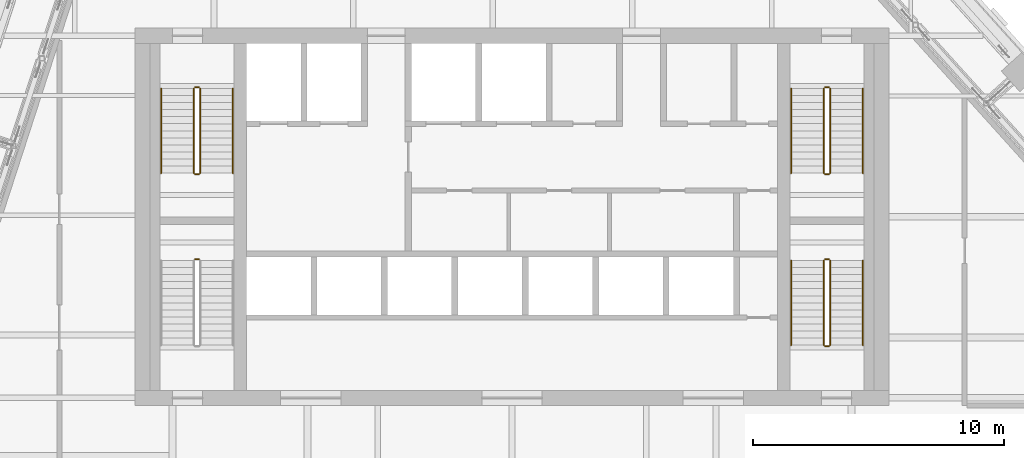
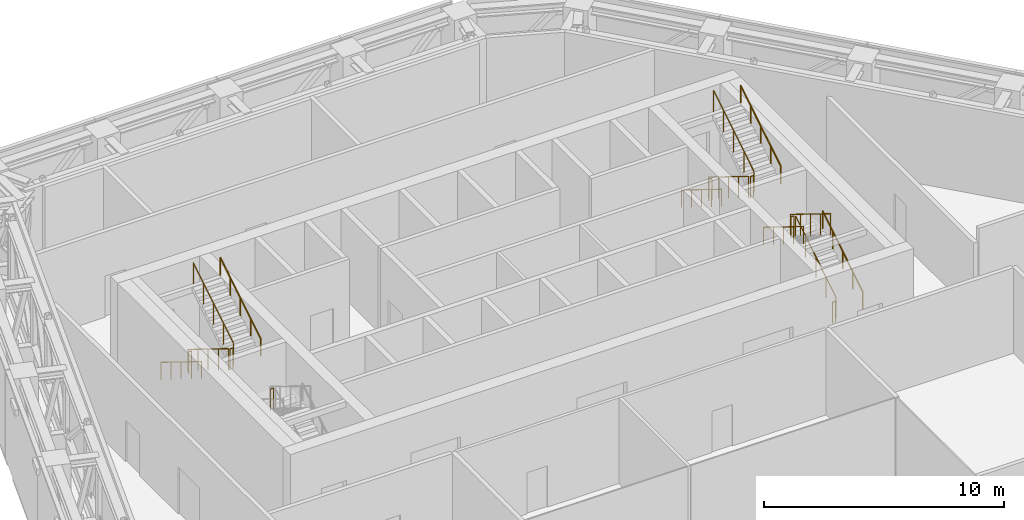
# One storey, part 25 of 25: 19 railings.
"""IFC4 building model written with IfcOpenShell, lengths in metres."""

from ifc_helpers import new_model, si_unit, direction, frame, origin, origin_2d, place, context, subcontext, project, spatial, circle, extrude, material, type_object, element, save


model = new_model("IFC4")

# Units and contexts
model_context = context("Model", 3, precision=1e-05, world=origin(), true_north=direction((0.0, 1.0)))
body_context = subcontext(model_context, "Body", "Model", "MODEL_VIEW")
ifc_project = project(units=[si_unit("LENGTHUNIT", "METRE"), si_unit("AREAUNIT", "SQUARE_METRE"), si_unit("VOLUMEUNIT", "CUBIC_METRE"), si_unit("PLANEANGLEUNIT", "RADIAN"), si_unit("MASSUNIT", "GRAM", prefix="KILO")], contexts=[model_context])

# Site, building, storey
site_placement = place(None, origin())
site = spatial("IfcSite", under=ifc_project, at=site_placement, CompositionType="ELEMENT")
building_placement = place(site_placement, origin())
building = spatial("IfcBuilding", under=site, at=building_placement, Name="Isthmus Gate Tower", CompositionType="ELEMENT")
storey_placement = place(building_placement, frame((0.0, 0.0, 256.449951171875)))
storey = spatial("IfcBuildingStorey", under=building, at=storey_placement, Name="L65", CompositionType="ELEMENT", Elevation=256.449951171875)

# Railings
ifc_material_1 = material(Name="Stainless steel balustrade", Category="steel")
railing_type_1 = type_object("IfcRailingType", Name="STAIR GUARD 1100", PredefinedType="GUARDRAIL", material=ifc_material_1)
railing_1_placement = place(storey_placement, frame((-12.64990234375, 12.60009765625, 0.173095703125)))
element("IfcRailing", 1, at=railing_1_placement, inside=storey, type_object=railing_type_1, Name="L65 ST1 stair guard 1", PredefinedType="GUARDRAIL", context=body_context, shape_type="SweptSolid", body=[
    extrude(circle(Radius=0.02392578125, at=origin_2d()), frame((0.0, 0.0, 1.076171875), z_axis=(0.0, -0.850623216509, 0.525775754039), x_axis=(1.0, 0.0, 0.0)), (0.0, 0.0, 1.0), 3.9501953125),
    extrude(circle(Radius=0.02099609375, at=origin_2d()), origin(), (0.0, 0.0, 1.0), 1.052001953125),
    extrude(circle(Radius=0.02099609375, at=origin_2d()), frame((0.0, -0.840087890625, 0.519287109375)), (0.0, 0.0, 1.0), 1.052001953125),
    extrude(circle(Radius=0.02099609375, at=origin_2d()), frame((0.0, -1.68017578125, 1.03857421875)), (0.0, 0.0, 1.0), 1.052001953125),
    extrude(circle(Radius=0.02099609375, at=origin_2d()), frame((0.0, -2.52001953125, 1.5576171875)), (0.0, 0.0, 1.0), 1.052001953125),
    extrude(circle(Radius=0.02099609375, at=origin_2d()), frame((0.0, -3.360107421875, 2.076904296875)), (0.0, 0.0, 1.0), 1.052001953125),
])
railing_2_placement = place(storey_placement, frame((-12.60009765625, 9.18994140625, 2.25)))
element("IfcRailing", 2, at=railing_2_placement, inside=storey, type_object=railing_type_1, Name="L65 ST1 stair guard 2", PredefinedType="GUARDRAIL", context=body_context, shape_type="SweptSolid", body=[
    extrude(circle(Radius=0.02392578125, at=origin_2d()), frame((0.0, 0.0, 1.076171875), z_axis=(1.0, 0.0, 0.0), x_axis=(0.0, 1.0, 0.0)), (0.0, 0.0, 1.0), 0.150146484375),
    extrude(circle(Radius=0.02099609375, at=origin_2d()), origin(), (0.0, 0.0, 1.0), 1.052001953125),
    extrude(circle(Radius=0.02099609375, at=origin_2d()), frame((0.150146484375, 0.0, 0.0)), (0.0, 0.0, 1.0), 1.052001953125),
])
railing_3_placement = place(storey_placement, frame((-12.39990234375, 9.239990234375, 2.423095703125)))
element("IfcRailing", 3, at=railing_3_placement, inside=storey, type_object=railing_type_1, Name="L65 ST1 stair guard 3", PredefinedType="GUARDRAIL", context=body_context, shape_type="SweptSolid", body=[
    extrude(circle(Radius=0.02392578125, at=origin_2d()), frame((0.0, 0.0, 1.076171875), z_axis=(0.0, 0.850623216509, 0.525775754039), x_axis=(-1.0, 0.0, 0.0)), (0.0, 0.0, 1.0), 3.9501953125),
    extrude(circle(Radius=0.02099609375, at=origin_2d()), origin(), (0.0, 0.0, 1.0), 1.052001953125),
    extrude(circle(Radius=0.02099609375, at=origin_2d()), frame((0.0, 0.840087890625, 0.519287109375)), (0.0, 0.0, 1.0), 1.052001953125),
    extrude(circle(Radius=0.02099609375, at=origin_2d()), frame((0.0, 1.68017578125, 1.03857421875)), (0.0, 0.0, 1.0), 1.052001953125),
    extrude(circle(Radius=0.02099609375, at=origin_2d()), frame((0.0, 2.52001953125, 1.5576171875)), (0.0, 0.0, 1.0), 1.052001953125),
    extrude(circle(Radius=0.02099609375, at=origin_2d()), frame((0.0, 3.360107421875, 2.076904296875)), (0.0, 0.0, 1.0), 1.052001953125),
])
railing_4_placement = place(storey_placement, frame((-12.60009765625, 12.64990234375, 0.0)))
element("IfcRailing", 4, at=railing_4_placement, inside=storey, type_object=railing_type_1, Name="L65 ST1 stair guard 4", PredefinedType="GUARDRAIL", context=body_context, shape_type="SweptSolid", body=[
    extrude(circle(Radius=0.02392578125, at=origin_2d()), frame((0.0, 0.0, 1.076171875), z_axis=(1.0, 0.0, 0.0), x_axis=(0.0, 1.0, 0.0)), (0.0, 0.0, 1.0), 0.150146484375),
    extrude(circle(Radius=0.02099609375, at=origin_2d()), origin(), (0.0, 0.0, 1.0), 1.052001953125),
    extrude(circle(Radius=0.02099609375, at=origin_2d()), frame((0.150146484375, 0.0, 0.0)), (0.0, 0.0, 1.0), 1.052001953125),
])
railing_5_placement = place(storey_placement, frame((12.39990234375, 12.60009765625, 0.173095703125)))
element("IfcRailing", 5, at=railing_5_placement, inside=storey, type_object=railing_type_1, Name="L65 ST2 stair guard 1", PredefinedType="GUARDRAIL", context=body_context, shape_type="SweptSolid", body=[
    extrude(circle(Radius=0.02392578125, at=origin_2d()), frame((0.0, 0.0, 1.076171875), z_axis=(0.0, -0.850623216509, 0.525775754039), x_axis=(1.0, 0.0, 0.0)), (0.0, 0.0, 1.0), 3.9501953125),
    extrude(circle(Radius=0.02099609375, at=origin_2d()), origin(), (0.0, 0.0, 1.0), 1.052001953125),
    extrude(circle(Radius=0.02099609375, at=origin_2d()), frame((0.0, -0.840087890625, 0.519287109375)), (0.0, 0.0, 1.0), 1.052001953125),
    extrude(circle(Radius=0.02099609375, at=origin_2d()), frame((0.0, -1.68017578125, 1.03857421875)), (0.0, 0.0, 1.0), 1.052001953125),
    extrude(circle(Radius=0.02099609375, at=origin_2d()), frame((0.0, -2.52001953125, 1.5576171875)), (0.0, 0.0, 1.0), 1.052001953125),
    extrude(circle(Radius=0.02099609375, at=origin_2d()), frame((0.0, -3.360107421875, 2.076904296875)), (0.0, 0.0, 1.0), 1.052001953125),
])
railing_6_placement = place(storey_placement, frame((12.449951171875, 9.18994140625, 2.25)))
element("IfcRailing", 6, at=railing_6_placement, inside=storey, type_object=railing_type_1, Name="L65 ST2 stair guard 2", PredefinedType="GUARDRAIL", context=body_context, shape_type="SweptSolid", body=[
    extrude(circle(Radius=0.02392578125, at=origin_2d()), frame((0.0, 0.0, 1.076171875), z_axis=(1.0, 0.0, 0.0), x_axis=(0.0, 1.0, 0.0)), (0.0, 0.0, 1.0), 0.150146484375),
    extrude(circle(Radius=0.02099609375, at=origin_2d()), origin(), (0.0, 0.0, 1.0), 1.052001953125),
    extrude(circle(Radius=0.02099609375, at=origin_2d()), frame((0.150146484375, 0.0, 0.0)), (0.0, 0.0, 1.0), 1.052001953125),
])
railing_7_placement = place(storey_placement, frame((12.64990234375, 9.239990234375, 2.423095703125)))
element("IfcRailing", 7, at=railing_7_placement, inside=storey, type_object=railing_type_1, Name="L65 ST2 stair guard 3", PredefinedType="GUARDRAIL", context=body_context, shape_type="SweptSolid", body=[
    extrude(circle(Radius=0.02392578125, at=origin_2d()), frame((0.0, 0.0, 1.076171875), z_axis=(0.0, 0.850623216509, 0.525775754039), x_axis=(-1.0, 0.0, 0.0)), (0.0, 0.0, 1.0), 3.9501953125),
    extrude(circle(Radius=0.02099609375, at=origin_2d()), origin(), (0.0, 0.0, 1.0), 1.052001953125),
    extrude(circle(Radius=0.02099609375, at=origin_2d()), frame((0.0, 0.840087890625, 0.519287109375)), (0.0, 0.0, 1.0), 1.052001953125),
    extrude(circle(Radius=0.02099609375, at=origin_2d()), frame((0.0, 1.68017578125, 1.03857421875)), (0.0, 0.0, 1.0), 1.052001953125),
    extrude(circle(Radius=0.02099609375, at=origin_2d()), frame((0.0, 2.52001953125, 1.5576171875)), (0.0, 0.0, 1.0), 1.052001953125),
    extrude(circle(Radius=0.02099609375, at=origin_2d()), frame((0.0, 3.360107421875, 2.076904296875)), (0.0, 0.0, 1.0), 1.052001953125),
])
railing_8_placement = place(storey_placement, frame((12.449951171875, 12.64990234375, 0.0)))
element("IfcRailing", 8, at=railing_8_placement, inside=storey, type_object=railing_type_1, Name="L65 ST2 stair guard 4", PredefinedType="GUARDRAIL", context=body_context, shape_type="SweptSolid", body=[
    extrude(circle(Radius=0.02392578125, at=origin_2d()), frame((0.0, 0.0, 1.076171875), z_axis=(1.0, 0.0, 0.0), x_axis=(0.0, 1.0, 0.0)), (0.0, 0.0, 1.0), 0.150146484375),
    extrude(circle(Radius=0.02099609375, at=origin_2d()), origin(), (0.0, 0.0, 1.0), 1.052001953125),
    extrude(circle(Radius=0.02099609375, at=origin_2d()), frame((0.150146484375, 0.0, 0.0)), (0.0, 0.0, 1.0), 1.052001953125),
])
railing_9_placement = place(storey_placement, frame((-12.449951171875, 5.81005859375, 2.25)))
element("IfcRailing", 9, at=railing_9_placement, inside=storey, type_object=railing_type_1, Name="L65 ST7 stair guard 2", PredefinedType="GUARDRAIL", context=body_context, shape_type="SweptSolid", body=[
    extrude(circle(Radius=0.02392578125, at=origin_2d()), frame((0.0, 0.0, 1.076171875), z_axis=(-1.0, 0.0, 0.0), x_axis=(0.0, -1.0, 0.0)), (0.0, 0.0, 1.0), 0.150146484375),
    extrude(circle(Radius=0.02099609375, at=origin_2d()), origin(), (0.0, 0.0, 1.0), 1.052001953125),
    extrude(circle(Radius=0.02099609375, at=origin_2d()), frame((-0.150146484375, 0.0, 0.0)), (0.0, 0.0, 1.0), 1.052001953125),
])
railing_10_placement = place(storey_placement, frame((12.64990234375, 2.39990234375, 0.173095703125)))
element("IfcRailing", 10, at=railing_10_placement, inside=storey, type_object=railing_type_1, Name="L65 ST8 stair guard 1", PredefinedType="GUARDRAIL", context=body_context, shape_type="SweptSolid", body=[
    extrude(circle(Radius=0.02392578125, at=origin_2d()), frame((0.0, 0.0, 1.076171875), z_axis=(0.0, 0.850623216509, 0.525775754039), x_axis=(-1.0, 0.0, 0.0)), (0.0, 0.0, 1.0), 3.9501953125),
    extrude(circle(Radius=0.02099609375, at=origin_2d()), origin(), (0.0, 0.0, 1.0), 1.052001953125),
    extrude(circle(Radius=0.02099609375, at=origin_2d()), frame((0.0, 0.840087890625, 0.519287109375)), (0.0, 0.0, 1.0), 1.052001953125),
    extrude(circle(Radius=0.02099609375, at=origin_2d()), frame((0.0, 1.68017578125, 1.03857421875)), (0.0, 0.0, 1.0), 1.052001953125),
    extrude(circle(Radius=0.02099609375, at=origin_2d()), frame((0.0, 2.52001953125, 1.5576171875)), (0.0, 0.0, 1.0), 1.052001953125),
    extrude(circle(Radius=0.02099609375, at=origin_2d()), frame((0.0, 3.360107421875, 2.076904296875)), (0.0, 0.0, 1.0), 1.052001953125),
])
railing_11_placement = place(storey_placement, frame((12.60009765625, 5.81005859375, 2.25)))
element("IfcRailing", 11, at=railing_11_placement, inside=storey, type_object=railing_type_1, Name="L65 ST8 stair guard 2", PredefinedType="GUARDRAIL", context=body_context, shape_type="SweptSolid", body=[
    extrude(circle(Radius=0.02392578125, at=origin_2d()), frame((0.0, 0.0, 1.076171875), z_axis=(-1.0, 0.0, 0.0), x_axis=(0.0, -1.0, 0.0)), (0.0, 0.0, 1.0), 0.150146484375),
    extrude(circle(Radius=0.02099609375, at=origin_2d()), origin(), (0.0, 0.0, 1.0), 1.052001953125),
    extrude(circle(Radius=0.02099609375, at=origin_2d()), frame((-0.150146484375, 0.0, 0.0)), (0.0, 0.0, 1.0), 1.052001953125),
])
railing_12_placement = place(storey_placement, frame((12.39990234375, 5.760009765625, 2.423095703125)))
element("IfcRailing", 12, at=railing_12_placement, inside=storey, type_object=railing_type_1, Name="L65 ST8 stair guard 3", PredefinedType="GUARDRAIL", context=body_context, shape_type="SweptSolid", body=[
    extrude(circle(Radius=0.02392578125, at=origin_2d()), frame((0.0, 0.0, 1.076171875), z_axis=(0.0, -0.850623216509, 0.525775754039), x_axis=(1.0, 0.0, 0.0)), (0.0, 0.0, 1.0), 3.9501953125),
    extrude(circle(Radius=0.02099609375, at=origin_2d()), origin(), (0.0, 0.0, 1.0), 1.052001953125),
    extrude(circle(Radius=0.02099609375, at=origin_2d()), frame((0.0, -0.840087890625, 0.519287109375)), (0.0, 0.0, 1.0), 1.052001953125),
    extrude(circle(Radius=0.02099609375, at=origin_2d()), frame((0.0, -1.68017578125, 1.03857421875)), (0.0, 0.0, 1.0), 1.052001953125),
    extrude(circle(Radius=0.02099609375, at=origin_2d()), frame((0.0, -2.52001953125, 1.5576171875)), (0.0, 0.0, 1.0), 1.052001953125),
    extrude(circle(Radius=0.02099609375, at=origin_2d()), frame((0.0, -3.360107421875, 2.076904296875)), (0.0, 0.0, 1.0), 1.052001953125),
])
railing_13_placement = place(storey_placement, frame((12.60009765625, 2.35009765625, 0.0)))
element("IfcRailing", 13, at=railing_13_placement, inside=storey, type_object=railing_type_1, Name="L65 ST8 stair guard 4", PredefinedType="GUARDRAIL", context=body_context, shape_type="SweptSolid", body=[
    extrude(circle(Radius=0.02392578125, at=origin_2d()), frame((0.0, 0.0, 1.076171875), z_axis=(-1.0, 0.0, 0.0), x_axis=(0.0, -1.0, 0.0)), (0.0, 0.0, 1.0), 0.150146484375),
    extrude(circle(Radius=0.02099609375, at=origin_2d()), origin(), (0.0, 0.0, 1.0), 1.052001953125),
    extrude(circle(Radius=0.02099609375, at=origin_2d()), frame((-0.150146484375, 0.0, 0.0)), (0.0, 0.0, 1.0), 1.052001953125),
])
ifc_material_2 = material(Name="Stainless steel handrail", Category="steel")
railing_type_2 = type_object("IfcRailingType", Name="STAIR HANDRAIL 900", PredefinedType="HANDRAIL", material=ifc_material_2)
railing_14_placement = place(storey_placement, frame((-13.949951171875, 12.60009765625, 0.173095703125)))
element("IfcRailing", 14, at=railing_14_placement, inside=storey, type_object=railing_type_2, Name="L65 ST1 stair handrail 1", PredefinedType="HANDRAIL", context=body_context, shape_type="SweptSolid", body=[
    extrude(circle(Radius=0.02392578125, at=origin_2d()), frame((0.0, 0.0, 0.8759765625), z_axis=(0.0, -0.850623216509, 0.525775754039), x_axis=(1.0, 0.0, 0.0)), (0.0, 0.0, 1.0), 3.9501953125),
    extrude(circle(Radius=0.02099609375, at=origin_2d()), origin(), (0.0, 0.0, 1.0), 0.851806640625),
    extrude(circle(Radius=0.02099609375, at=origin_2d()), frame((0.0, -0.840087890625, 0.519287109375)), (0.0, 0.0, 1.0), 0.851806640625),
    extrude(circle(Radius=0.02099609375, at=origin_2d()), frame((0.0, -1.68017578125, 1.03857421875)), (0.0, 0.0, 1.0), 0.851806640625),
    extrude(circle(Radius=0.02099609375, at=origin_2d()), frame((0.0, -2.52001953125, 1.5576171875)), (0.0, 0.0, 1.0), 0.851806640625),
    extrude(circle(Radius=0.02099609375, at=origin_2d()), frame((0.0, -3.360107421875, 2.076904296875)), (0.0, 0.0, 1.0), 0.851806640625),
])
railing_15_placement = place(storey_placement, frame((-11.10009765625, 9.239990234375, 2.423095703125)))
element("IfcRailing", 15, at=railing_15_placement, inside=storey, type_object=railing_type_2, Name="L65 ST1 stair handrail 2", PredefinedType="HANDRAIL", context=body_context, shape_type="SweptSolid", body=[
    extrude(circle(Radius=0.02392578125, at=origin_2d()), frame((0.0, 0.0, 0.8759765625), z_axis=(0.0, 0.850623216509, 0.525775754039), x_axis=(-1.0, 0.0, 0.0)), (0.0, 0.0, 1.0), 3.9501953125),
    extrude(circle(Radius=0.02099609375, at=origin_2d()), origin(), (0.0, 0.0, 1.0), 0.851806640625),
    extrude(circle(Radius=0.02099609375, at=origin_2d()), frame((0.0, 0.840087890625, 0.519287109375)), (0.0, 0.0, 1.0), 0.851806640625),
    extrude(circle(Radius=0.02099609375, at=origin_2d()), frame((0.0, 1.68017578125, 1.03857421875)), (0.0, 0.0, 1.0), 0.851806640625),
    extrude(circle(Radius=0.02099609375, at=origin_2d()), frame((0.0, 2.52001953125, 1.5576171875)), (0.0, 0.0, 1.0), 0.851806640625),
    extrude(circle(Radius=0.02099609375, at=origin_2d()), frame((0.0, 3.360107421875, 2.076904296875)), (0.0, 0.0, 1.0), 0.851806640625),
])
railing_16_placement = place(storey_placement, frame((11.10009765625, 12.60009765625, 0.173095703125)))
element("IfcRailing", 16, at=railing_16_placement, inside=storey, type_object=railing_type_2, Name="L65 ST2 stair handrail 1", PredefinedType="HANDRAIL", context=body_context, shape_type="SweptSolid", body=[
    extrude(circle(Radius=0.02392578125, at=origin_2d()), frame((0.0, 0.0, 0.8759765625), z_axis=(0.0, -0.850623216509, 0.525775754039), x_axis=(1.0, 0.0, 0.0)), (0.0, 0.0, 1.0), 3.9501953125),
    extrude(circle(Radius=0.02099609375, at=origin_2d()), origin(), (0.0, 0.0, 1.0), 0.851806640625),
    extrude(circle(Radius=0.02099609375, at=origin_2d()), frame((0.0, -0.840087890625, 0.519287109375)), (0.0, 0.0, 1.0), 0.851806640625),
    extrude(circle(Radius=0.02099609375, at=origin_2d()), frame((0.0, -1.68017578125, 1.03857421875)), (0.0, 0.0, 1.0), 0.851806640625),
    extrude(circle(Radius=0.02099609375, at=origin_2d()), frame((0.0, -2.52001953125, 1.5576171875)), (0.0, 0.0, 1.0), 0.851806640625),
    extrude(circle(Radius=0.02099609375, at=origin_2d()), frame((0.0, -3.360107421875, 2.076904296875)), (0.0, 0.0, 1.0), 0.851806640625),
])
for number, where, name in (
    (17, (13.949951171875, 9.239990234375, 2.423095703125), "L65 ST2 stair handrail 2"),
    (18, (13.949951171875, 2.39990234375, 0.173095703125), "L65 ST8 stair handrail 1"),
):
    element("IfcRailing", number, at=place(storey_placement, frame(where)), inside=storey, type_object=railing_type_2, Name=name, PredefinedType="HANDRAIL", context=body_context, shape_type="SweptSolid", body=[
        extrude(circle(Radius=0.02392578125, at=origin_2d()), frame((0.0, 0.0, 0.8759765625), z_axis=(0.0, 0.850623216509, 0.525775754039), x_axis=(-1.0, 0.0, 0.0)), (0.0, 0.0, 1.0), 3.9501953125),
        extrude(circle(Radius=0.02099609375, at=origin_2d()), origin(), (0.0, 0.0, 1.0), 0.851806640625),
        extrude(circle(Radius=0.02099609375, at=origin_2d()), frame((0.0, 0.840087890625, 0.519287109375)), (0.0, 0.0, 1.0), 0.851806640625),
        extrude(circle(Radius=0.02099609375, at=origin_2d()), frame((0.0, 1.68017578125, 1.03857421875)), (0.0, 0.0, 1.0), 0.851806640625),
        extrude(circle(Radius=0.02099609375, at=origin_2d()), frame((0.0, 2.52001953125, 1.5576171875)), (0.0, 0.0, 1.0), 0.851806640625),
        extrude(circle(Radius=0.02099609375, at=origin_2d()), frame((0.0, 3.360107421875, 2.076904296875)), (0.0, 0.0, 1.0), 0.851806640625),
    ])
railing_17_placement = place(storey_placement, frame((11.10009765625, 5.760009765625, 2.423095703125)))
element("IfcRailing", 19, at=railing_17_placement, inside=storey, type_object=railing_type_2, Name="L65 ST8 stair handrail 2", PredefinedType="HANDRAIL", context=body_context, shape_type="SweptSolid", body=[
    extrude(circle(Radius=0.02392578125, at=origin_2d()), frame((0.0, 0.0, 0.8759765625), z_axis=(0.0, -0.850623216509, 0.525775754039), x_axis=(1.0, 0.0, 0.0)), (0.0, 0.0, 1.0), 3.9501953125),
    extrude(circle(Radius=0.02099609375, at=origin_2d()), origin(), (0.0, 0.0, 1.0), 0.851806640625),
    extrude(circle(Radius=0.02099609375, at=origin_2d()), frame((0.0, -0.840087890625, 0.519287109375)), (0.0, 0.0, 1.0), 0.851806640625),
    extrude(circle(Radius=0.02099609375, at=origin_2d()), frame((0.0, -1.68017578125, 1.03857421875)), (0.0, 0.0, 1.0), 0.851806640625),
    extrude(circle(Radius=0.02099609375, at=origin_2d()), frame((0.0, -2.52001953125, 1.5576171875)), (0.0, 0.0, 1.0), 0.851806640625),
    extrude(circle(Radius=0.02099609375, at=origin_2d()), frame((0.0, -3.360107421875, 2.076904296875)), (0.0, 0.0, 1.0), 0.851806640625),
])

save(model, "model.ifc")
